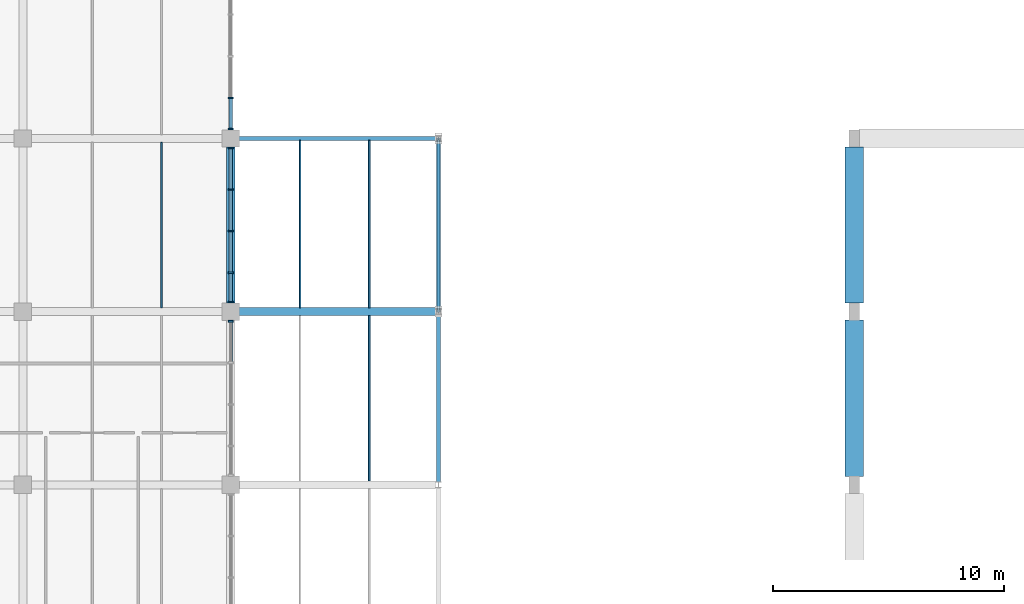
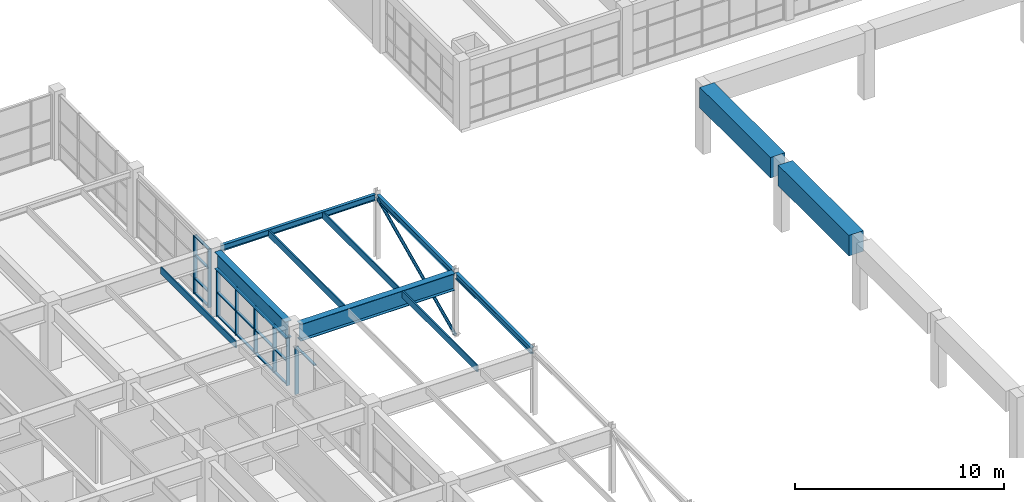
# One storey, part 14 of 76: 26 members, 11 beams, 3 elements without a shape of their own.
"""IFC4 building model written with IfcOpenShell, lengths in metres."""

from ifc_helpers import new_model, si_unit, direction, frame, origin, origin_2d, place, context, subcontext, project, spatial, rectangle, hollow_circle, i_section, extrude, material, layer, layer_set, material_profile, profile_set, type_object, element, aggregate, save


model = new_model("IFC4")

# Units and contexts
model_context = context("Model", 3, precision=1e-05, world=origin(), true_north=direction((0.0, 1.0)))
body_context = subcontext(model_context, "Body", "Model", "MODEL_VIEW")
ifc_project = project(units=[si_unit("LENGTHUNIT", "METRE"), si_unit("AREAUNIT", "SQUARE_METRE"), si_unit("VOLUMEUNIT", "CUBIC_METRE"), si_unit("PLANEANGLEUNIT", "RADIAN"), si_unit("MASSUNIT", "GRAM", prefix="KILO")], contexts=[model_context])

# Site, building, storey
site_placement = place(None, origin())
site = spatial("IfcSite", under=ifc_project, at=site_placement, CompositionType="ELEMENT")
building_placement = place(site_placement, origin())
building = spatial("IfcBuilding", under=site, at=building_placement, Name="Marnridge Secondary College", CompositionType="ELEMENT")
storey_placement = place(building_placement, frame((0.0, 0.0, 4.5)))
storey = spatial("IfcBuildingStorey", under=building, at=storey_placement, Name="L01", CompositionType="ELEMENT", Elevation=4.5)

# Beams
ifc_material_1 = material(Name="Engineered timber LVL E13.2", Category="wood")
ifc_material_profile_1 = material_profile(ifc_material_1, rectangle(XDim=0.074951171875, YDim=0.39990234375, at=origin_2d()), Name="LVL 75x400")
ifc_profile_set_1 = profile_set([ifc_material_profile_1], Name="Engineered timber LVL E13.2")
beam_type_1 = type_object("IfcBeamType", Name="BM-LVL400-INT", PredefinedType="JOIST", material=ifc_profile_set_1)
for number, where, z_axis, x_axis, name in (
    (1, (33.0, 22.6689453125, 3.570068359375), (0.0, 1.0, 0.0), (-1.0, 0.0, 0.0), "Beam BJ-L01-0739"),
    (2, (42.0, 15.1689453125, 3.570068359375), (0.0, 1.0, 0.0), (-1.0, 0.0, 0.0), "Beam BJ-L01-0745"),
):
    element("IfcBeam", number, at=place(storey_placement, frame(where, z_axis=z_axis, x_axis=x_axis)), inside=storey, type_object=beam_type_1, Name=name, PredefinedType="JOIST", context=body_context, shape_type="SweptSolid", body=[
        extrude(rectangle(XDim=0.074951171875, YDim=0.39990234375, at=origin_2d()), origin(), (0.0, 0.0, 1.0), 7.162109375),
    ])
for number, where, z_axis, x_axis, name in (
    (3, (39.0, 22.6689453125, 3.570068359375), (0.0, 1.0, 0.0), (-1.0, 0.0, 0.0), "Beam BJ-L01-0746"),
    (4, (42.0, 22.6689453125, 3.570068359375), (0.0, 1.0, 0.0), (-1.0, 0.0, 0.0), "Beam BJ-L01-0747"),
):
    element("IfcBeam", number, at=place(storey_placement, frame(where, z_axis=z_axis, x_axis=x_axis)), inside=storey, type_object=beam_type_1, Name=name, PredefinedType="JOIST", context=body_context, shape_type="SweptSolid", body=[
        extrude(rectangle(XDim=0.074951171875, YDim=0.39990234375, at=origin_2d()), origin(), (0.0, 0.0, 1.0), 7.25146484375),
    ])
ifc_material_2 = material(Name="Concrete C50/60 (AS 3600 N50, 50 MPa)", Category="concrete")
ifc_material_profile_2 = material_profile(ifc_material_2, rectangle(XDim=0.800048828125, YDim=1.199951171875, at=origin_2d()), Name="RC 800x1200")
ifc_profile_set_2 = profile_set([ifc_material_profile_2], Name="Concrete C50/60 (AS 3600 N50, 50 MPa)")
beam_type_2 = type_object("IfcBeamType", Name="BM-RING-8012", PredefinedType="USERDEFINED", material=ifc_profile_set_2)
for number, where, z_axis, x_axis, name in (
    (5, (63.0, 15.368896484375, 3.39990234375), (0.0, 1.0, 0.0), (-1.0, 0.0, 0.0), "Beam BRG-L01-0031"),
    (6, (63.0, 22.868896484375, 3.39990234375), (0.0, 1.0, 0.0), (-1.0, 0.0, 0.0), "Beam BRG-L01-0033"),
):
    element("IfcBeam", number, at=place(storey_placement, frame(where, z_axis=z_axis, x_axis=x_axis)), inside=storey, type_object=beam_type_2, Name=name, ObjectType="RING BEAM", PredefinedType="USERDEFINED", context=body_context, shape_type="SweptSolid", body=[
        extrude(rectangle(XDim=0.800048828125, YDim=1.199951171875, at=origin_2d()), origin(), (0.0, 0.0, 1.0), 6.76220703125),
    ])
ifc_material_3 = material(Name="Structural steel Grade 350 (AS/NZS 3679.1/.2, fy = 340-360 MPa)", Category="steel")
ifc_material_profile_3 = material_profile(ifc_material_3, i_section(OverallWidth=0.1708984375, OverallDepth=0.35205078125, WebThickness=0.0068359375, FlangeThickness=0.009765625, FilletRadius=0.011474609375, at=origin_2d()), Name="360UB44.7")
ifc_profile_set_3 = profile_set([ifc_material_profile_3], Name="Structural steel Grade 350 (AS/NZS 3679.1/.2, fy = 340-360 MPa)")
beam_type_3 = type_object("IfcBeamType", Name="BM-UB360-EXT", PredefinedType="SPANDREL", material=ifc_profile_set_3)
beam_1_placement = place(storey_placement, frame((45.0, 15.120849609375, 3.593994140625), z_axis=(0.0, 1.0, 0.0), x_axis=(-1.0, 0.0, 0.0)))
element("IfcBeam", 7, at=beam_1_placement, inside=storey, type_object=beam_type_3, Name="Beam BS-L01-0701", PredefinedType="SPANDREL", context=body_context, shape_type="SweptSolid", body=[
    extrude(i_section(OverallWidth=0.1708984375, OverallDepth=0.35205078125, WebThickness=0.0068359375, FlangeThickness=0.009765625, FilletRadius=0.011474609375, at=origin_2d()), origin(), (0.0, 0.0, 1.0), 7.25830078125),
])
beam_2_placement = place(storey_placement, frame((36.368896484375, 30.0, 3.593994140625), z_axis=(1.0, 0.0, 0.0), x_axis=(0.0, 1.0, 0.0)))
element("IfcBeam", 8, at=beam_2_placement, inside=storey, type_object=beam_type_3, Name="Beam BS-L01-0702", PredefinedType="SPANDREL", context=body_context, shape_type="SweptSolid", body=[
    extrude(i_section(OverallWidth=0.1708984375, OverallDepth=0.35205078125, WebThickness=0.0068359375, FlangeThickness=0.009765625, FilletRadius=0.011474609375, at=origin_2d()), origin(), (0.0, 0.0, 1.0), 8.510009765625),
])
beam_3_placement = place(storey_placement, frame((45.0, 22.620849609375, 3.593994140625), z_axis=(0.0, 1.0, 0.0), x_axis=(-1.0, 0.0, 0.0)))
element("IfcBeam", 9, at=beam_3_placement, inside=storey, type_object=beam_type_3, Name="Beam BS-L01-0703", PredefinedType="SPANDREL", context=body_context, shape_type="SweptSolid", body=[
    extrude(i_section(OverallWidth=0.1708984375, OverallDepth=0.35205078125, WebThickness=0.0068359375, FlangeThickness=0.009765625, FilletRadius=0.011474609375, at=origin_2d()), origin(), (0.0, 0.0, 1.0), 7.25830078125),
])
ifc_material_4 = material(Name="Structural steel Grade 350 (AS/NZS 3679.1/.2, fy = 340-360 MPa)", Category="steel")
ifc_material_profile_4 = material_profile(ifc_material_4, i_section(OverallWidth=0.35009765625, OverallDepth=0.989990234375, WebThickness=0.01611328125, FlangeThickness=0.02490234375, at=origin_2d()), Name="1000WB258")
ifc_profile_set_4 = profile_set([ifc_material_profile_4], Name="Structural steel Grade 350 (AS/NZS 3679.1/.2, fy = 340-360 MPa)")
beam_type_4 = type_object("IfcBeamType", Name="BM-WB1000-INT", PredefinedType="BEAM", material=ifc_profile_set_4)
beam_4_placement = place(storey_placement, frame((36.0, 22.868896484375, 3.27490234375), z_axis=(0.0, 1.0, 0.0), x_axis=(-1.0, 0.0, 0.0)))
element("IfcBeam", 10, at=beam_4_placement, inside=storey, type_object=beam_type_4, Name="Beam B-L01-0694", PredefinedType="BEAM", context=body_context, shape_type="SweptSolid", body=[
    extrude(i_section(OverallWidth=0.35009765625, OverallDepth=0.989990234375, WebThickness=0.01611328125, FlangeThickness=0.02490234375, at=origin_2d()), origin(), (0.0, 0.0, 1.0), 6.76220703125),
])
beam_5_placement = place(storey_placement, frame((36.368896484375, 22.5, 3.27490234375), z_axis=(1.0, 0.0, 0.0), x_axis=(0.0, 1.0, 0.0)))
element("IfcBeam", 11, at=beam_5_placement, inside=storey, type_object=beam_type_4, Name="Beam B-L01-0700", PredefinedType="BEAM", context=body_context, shape_type="SweptSolid", body=[
    extrude(i_section(OverallWidth=0.35009765625, OverallDepth=0.989990234375, WebThickness=0.01611328125, FlangeThickness=0.02490234375, at=origin_2d()), origin(), (0.0, 0.0, 1.0), 8.510009765625),
])

# Curtain wall, members
ifc_material_5 = material(Name="Bronze-anodised aluminium and solar-control glazing", Category="aluminium")
ifc_layer = layer(ifc_material_5, 0.199951171875)
ifc_layer_set = layer_set([ifc_layer], Name="CW-MOD-1800")
curtain_wall_type = type_object("IfcCurtainWallType", Name="CW-MOD-1800", PredefinedType="NOTDEFINED", material=ifc_layer_set)
curtain_wall_1_placement = place(storey_placement, origin())
curtain_wall_1 = element("IfcCurtainWall", 12, at=curtain_wall_1_placement, inside=storey, type_object=curtain_wall_type, Name="Unitised curtain wall CW-L01-064", PredefinedType="NOTDEFINED")
ifc_material_6 = material(Name="Bronze-anodised aluminium 6063-T6", Category="aluminium")
ifc_material_profile_5 = material_profile(ifc_material_6, rectangle(XDim=0.070068359375, YDim=0.199951171875, at=origin_2d()), Name="ALU 70x200")
ifc_profile_set_5 = profile_set([ifc_material_profile_5], Name="Bronze-anodised aluminium 6063-T6")
member_type_1 = type_object("IfcMemberType", Name="CWM-ALU200", PredefinedType="MULLION", material=ifc_profile_set_5)
member_1_placement = place(storey_placement, frame((36.0, 31.760986328125, 0.0), z_axis=(0.0, 0.0, 1.0), x_axis=(0.0, -1.0, 0.0)))
member_1 = element("IfcMember", 13, at=member_1_placement, type_object=member_type_1, Name="CW-L01-064 mullion 4", PredefinedType="MULLION", context=body_context, shape_type="SweptSolid", body=[
    extrude(rectangle(XDim=0.070068359375, YDim=0.199951171875, at=origin_2d()), origin(), (0.0, 0.0, 1.0), 3.409912109375),
])
member_2_placement = place(storey_placement, frame((36.0, 30.4140625, 0.0), z_axis=(0.0, 0.0, 1.0), x_axis=(0.0, -1.0, 0.0)))
member_2 = element("IfcMember", 14, at=member_2_placement, type_object=member_type_1, Name="CW-L01-064 mullion 5", PredefinedType="MULLION", context=body_context, shape_type="SweptSolid", body=[
    extrude(rectangle(XDim=0.070068359375, YDim=0.199951171875, at=origin_2d()), origin(), (0.0, 0.0, 1.0), 3.409912109375),
])

curtain_wall_2_placement = place(storey_placement, origin())
curtain_wall_2 = element("IfcCurtainWall", 15, at=curtain_wall_2_placement, inside=storey, type_object=curtain_wall_type, Name="Unitised curtain wall CW-L01-065", PredefinedType="NOTDEFINED")
member_3_placement = place(storey_placement, frame((36.0, 29.5859375, 0.0), z_axis=(0.0, 0.0, 1.0), x_axis=(0.0, -1.0, 0.0)))
member_3 = element("IfcMember", 16, at=member_3_placement, type_object=member_type_1, Name="CW-L01-065 mullion 1", PredefinedType="MULLION", context=body_context, shape_type="SweptSolid", body=[
    extrude(rectangle(XDim=0.070068359375, YDim=0.199951171875, at=origin_2d()), origin(), (0.0, 0.0, 1.0), 2.77197265625),
])
member_4_placement = place(storey_placement, frame((36.0, 27.785888671875, 0.0), z_axis=(0.0, 0.0, 1.0), x_axis=(0.0, -1.0, 0.0)))
member_4 = element("IfcMember", 17, at=member_4_placement, type_object=member_type_1, Name="CW-L01-065 mullion 2", PredefinedType="MULLION", context=body_context, shape_type="SweptSolid", body=[
    extrude(rectangle(XDim=0.070068359375, YDim=0.199951171875, at=origin_2d()), origin(), (0.0, 0.0, 1.0), 2.77197265625),
])
member_5_placement = place(storey_placement, frame((36.0, 25.986083984375, 0.0), z_axis=(0.0, 0.0, 1.0), x_axis=(0.0, -1.0, 0.0)))
member_5 = element("IfcMember", 18, at=member_5_placement, type_object=member_type_1, Name="CW-L01-065 mullion 3", PredefinedType="MULLION", context=body_context, shape_type="SweptSolid", body=[
    extrude(rectangle(XDim=0.070068359375, YDim=0.199951171875, at=origin_2d()), origin(), (0.0, 0.0, 1.0), 2.77197265625),
])
member_6_placement = place(storey_placement, frame((36.0, 24.18603515625, 0.0), z_axis=(0.0, 0.0, 1.0), x_axis=(0.0, -1.0, 0.0)))
member_6 = element("IfcMember", 19, at=member_6_placement, type_object=member_type_1, Name="CW-L01-065 mullion 4", PredefinedType="MULLION", context=body_context, shape_type="SweptSolid", body=[
    extrude(rectangle(XDim=0.070068359375, YDim=0.199951171875, at=origin_2d()), origin(), (0.0, 0.0, 1.0), 2.77197265625),
])
member_7_placement = place(storey_placement, frame((36.0, 22.9140625, 0.0), z_axis=(0.0, 0.0, 1.0), x_axis=(0.0, -1.0, 0.0)))
member_7 = element("IfcMember", 20, at=member_7_placement, type_object=member_type_1, Name="CW-L01-065 mullion 5", PredefinedType="MULLION", context=body_context, shape_type="SweptSolid", body=[
    extrude(rectangle(XDim=0.070068359375, YDim=0.199951171875, at=origin_2d()), origin(), (0.0, 0.0, 1.0), 2.77197265625),
])

# Curtain wall, member
curtain_wall_3_placement = place(storey_placement, origin())
curtain_wall_3 = element("IfcCurtainWall", 21, at=curtain_wall_3_placement, inside=storey, type_object=curtain_wall_type, Name="Unitised curtain wall CW-L01-066", PredefinedType="NOTDEFINED")
member_8_placement = place(storey_placement, frame((36.0, 22.0859375, 0.0), z_axis=(0.0, 0.0, 1.0), x_axis=(0.0, -1.0, 0.0)))
member_8 = element("IfcMember", 22, at=member_8_placement, type_object=member_type_1, Name="CW-L01-066 mullion 1", PredefinedType="MULLION", context=body_context, shape_type="SweptSolid", body=[
    extrude(rectangle(XDim=0.070068359375, YDim=0.199951171875, at=origin_2d()), origin(), (0.0, 0.0, 1.0), 2.77197265625),
])

# Member
ifc_material_7 = material(Name="Anodised aluminium 6063-T6", Category="aluminium")
ifc_material_profile_6 = material_profile(ifc_material_7, rectangle(XDim=0.06494140625, YDim=0.139892578125, at=origin_2d()), Name="ALU 65x140")
ifc_profile_set_6 = profile_set([ifc_material_profile_6], Name="Anodised aluminium 6063-T6")
member_type_2 = type_object("IfcMemberType", Name="CWT-ALU140", PredefinedType="USERDEFINED", material=ifc_profile_set_6)
member_9_placement = place(storey_placement, frame((36.0, 31.72607421875, 0.032470703125), z_axis=(0.0, -1.0, 0.0), x_axis=(0.0, 0.0, 1.0)))
member_9 = element("IfcMember", 23, at=member_9_placement, type_object=member_type_2, Name="CW-L01-064 transom 4.1", ObjectType="TRANSOM", PredefinedType="USERDEFINED", context=body_context, shape_type="SweptSolid", body=[
    extrude(rectangle(XDim=0.06494140625, YDim=0.139892578125, at=origin_2d()), origin(), (0.0, 0.0, 1.0), 1.277099609375),
])

member_10_placement = place(storey_placement, frame((36.0, 31.72607421875, 0.89990234375), z_axis=(0.0, -1.0, 0.0), x_axis=(0.0, 0.0, 1.0)))
member_10 = element("IfcMember", 24, at=member_10_placement, type_object=member_type_2, Name="CW-L01-064 transom 4.2", ObjectType="TRANSOM", PredefinedType="USERDEFINED", context=body_context, shape_type="SweptSolid", body=[
    extrude(rectangle(XDim=0.06494140625, YDim=0.139892578125, at=origin_2d()), origin(), (0.0, 0.0, 1.0), 1.277099609375),
])

member_11_placement = place(storey_placement, frame((36.0, 31.72607421875, 2.25), z_axis=(0.0, -1.0, 0.0), x_axis=(0.0, 0.0, 1.0)))
member_11 = element("IfcMember", 25, at=member_11_placement, type_object=member_type_2, Name="CW-L01-064 transom 4.3", ObjectType="TRANSOM", PredefinedType="USERDEFINED", context=body_context, shape_type="SweptSolid", body=[
    extrude(rectangle(XDim=0.06494140625, YDim=0.139892578125, at=origin_2d()), origin(), (0.0, 0.0, 1.0), 1.277099609375),
])

member_12_placement = place(storey_placement, frame((36.0, 31.72607421875, 3.37744140625), z_axis=(0.0, -1.0, 0.0), x_axis=(0.0, 0.0, 1.0)))
member_12 = element("IfcMember", 26, at=member_12_placement, type_object=member_type_2, Name="CW-L01-064 transom 4.4", ObjectType="TRANSOM", PredefinedType="USERDEFINED", context=body_context, shape_type="SweptSolid", body=[
    extrude(rectangle(XDim=0.06494140625, YDim=0.139892578125, at=origin_2d()), origin(), (0.0, 0.0, 1.0), 1.277099609375),
])

aggregate(curtain_wall_1, [member_1, member_2, member_9, member_10, member_11, member_12])

member_13_placement = place(storey_placement, frame((36.0, 29.551025390625, 0.032470703125), z_axis=(0.0, -1.0, 0.0), x_axis=(0.0, 0.0, 1.0)))
member_13 = element("IfcMember", 27, at=member_13_placement, type_object=member_type_2, Name="CW-L01-065 transom 1.1", ObjectType="TRANSOM", PredefinedType="USERDEFINED", context=body_context, shape_type="SweptSolid", body=[
    extrude(rectangle(XDim=0.06494140625, YDim=0.139892578125, at=origin_2d()), origin(), (0.0, 0.0, 1.0), 1.72998046875),
])

member_14_placement = place(storey_placement, frame((36.0, 29.551025390625, 1.385986328125), z_axis=(0.0, -1.0, 0.0), x_axis=(0.0, 0.0, 1.0)))
member_14 = element("IfcMember", 28, at=member_14_placement, type_object=member_type_2, Name="CW-L01-065 transom 1.2", ObjectType="TRANSOM", PredefinedType="USERDEFINED", context=body_context, shape_type="SweptSolid", body=[
    extrude(rectangle(XDim=0.06494140625, YDim=0.139892578125, at=origin_2d()), origin(), (0.0, 0.0, 1.0), 1.72998046875),
])

member_15_placement = place(storey_placement, frame((36.0, 29.551025390625, 2.739501953125), z_axis=(0.0, -1.0, 0.0), x_axis=(0.0, 0.0, 1.0)))
member_15 = element("IfcMember", 29, at=member_15_placement, type_object=member_type_2, Name="CW-L01-065 transom 1.3", ObjectType="TRANSOM", PredefinedType="USERDEFINED", context=body_context, shape_type="SweptSolid", body=[
    extrude(rectangle(XDim=0.06494140625, YDim=0.139892578125, at=origin_2d()), origin(), (0.0, 0.0, 1.0), 1.72998046875),
])

member_16_placement = place(storey_placement, frame((36.0, 27.7509765625, 0.032470703125), z_axis=(0.0, -1.0, 0.0), x_axis=(0.0, 0.0, 1.0)))
member_16 = element("IfcMember", 30, at=member_16_placement, type_object=member_type_2, Name="CW-L01-065 transom 2.1", ObjectType="TRANSOM", PredefinedType="USERDEFINED", context=body_context, shape_type="SweptSolid", body=[
    extrude(rectangle(XDim=0.06494140625, YDim=0.139892578125, at=origin_2d()), origin(), (0.0, 0.0, 1.0), 1.72998046875),
])

member_17_placement = place(storey_placement, frame((36.0, 27.7509765625, 1.385986328125), z_axis=(0.0, -1.0, 0.0), x_axis=(0.0, 0.0, 1.0)))
member_17 = element("IfcMember", 31, at=member_17_placement, type_object=member_type_2, Name="CW-L01-065 transom 2.2", ObjectType="TRANSOM", PredefinedType="USERDEFINED", context=body_context, shape_type="SweptSolid", body=[
    extrude(rectangle(XDim=0.06494140625, YDim=0.139892578125, at=origin_2d()), origin(), (0.0, 0.0, 1.0), 1.72998046875),
])

member_18_placement = place(storey_placement, frame((36.0, 27.7509765625, 2.739501953125), z_axis=(0.0, -1.0, 0.0), x_axis=(0.0, 0.0, 1.0)))
member_18 = element("IfcMember", 32, at=member_18_placement, type_object=member_type_2, Name="CW-L01-065 transom 2.3", ObjectType="TRANSOM", PredefinedType="USERDEFINED", context=body_context, shape_type="SweptSolid", body=[
    extrude(rectangle(XDim=0.06494140625, YDim=0.139892578125, at=origin_2d()), origin(), (0.0, 0.0, 1.0), 1.72998046875),
])

member_19_placement = place(storey_placement, frame((36.0, 25.950927734375, 0.032470703125), z_axis=(0.0, -1.0, 0.0), x_axis=(0.0, 0.0, 1.0)))
member_19 = element("IfcMember", 33, at=member_19_placement, type_object=member_type_2, Name="CW-L01-065 transom 3.1", ObjectType="TRANSOM", PredefinedType="USERDEFINED", context=body_context, shape_type="SweptSolid", body=[
    extrude(rectangle(XDim=0.06494140625, YDim=0.139892578125, at=origin_2d()), origin(), (0.0, 0.0, 1.0), 1.72998046875),
])

member_20_placement = place(storey_placement, frame((36.0, 25.950927734375, 1.385986328125), z_axis=(0.0, -1.0, 0.0), x_axis=(0.0, 0.0, 1.0)))
member_20 = element("IfcMember", 34, at=member_20_placement, type_object=member_type_2, Name="CW-L01-065 transom 3.2", ObjectType="TRANSOM", PredefinedType="USERDEFINED", context=body_context, shape_type="SweptSolid", body=[
    extrude(rectangle(XDim=0.06494140625, YDim=0.139892578125, at=origin_2d()), origin(), (0.0, 0.0, 1.0), 1.72998046875),
])

member_21_placement = place(storey_placement, frame((36.0, 25.950927734375, 2.739501953125), z_axis=(0.0, -1.0, 0.0), x_axis=(0.0, 0.0, 1.0)))
member_21 = element("IfcMember", 35, at=member_21_placement, type_object=member_type_2, Name="CW-L01-065 transom 3.3", ObjectType="TRANSOM", PredefinedType="USERDEFINED", context=body_context, shape_type="SweptSolid", body=[
    extrude(rectangle(XDim=0.06494140625, YDim=0.139892578125, at=origin_2d()), origin(), (0.0, 0.0, 1.0), 1.72998046875),
])

member_22_placement = place(storey_placement, frame((36.0, 24.15087890625, 0.032470703125), z_axis=(0.0, -1.0, 0.0), x_axis=(0.0, 0.0, 1.0)))
member_22 = element("IfcMember", 36, at=member_22_placement, type_object=member_type_2, Name="CW-L01-065 transom 4.1", ObjectType="TRANSOM", PredefinedType="USERDEFINED", context=body_context, shape_type="SweptSolid", body=[
    extrude(rectangle(XDim=0.06494140625, YDim=0.139892578125, at=origin_2d()), origin(), (0.0, 0.0, 1.0), 1.201904296875),
])

member_23_placement = place(storey_placement, frame((36.0, 24.15087890625, 1.385986328125), z_axis=(0.0, -1.0, 0.0), x_axis=(0.0, 0.0, 1.0)))
member_23 = element("IfcMember", 37, at=member_23_placement, type_object=member_type_2, Name="CW-L01-065 transom 4.2", ObjectType="TRANSOM", PredefinedType="USERDEFINED", context=body_context, shape_type="SweptSolid", body=[
    extrude(rectangle(XDim=0.06494140625, YDim=0.139892578125, at=origin_2d()), origin(), (0.0, 0.0, 1.0), 1.201904296875),
])

member_24_placement = place(storey_placement, frame((36.0, 24.15087890625, 2.739501953125), z_axis=(0.0, -1.0, 0.0), x_axis=(0.0, 0.0, 1.0)))
member_24 = element("IfcMember", 38, at=member_24_placement, type_object=member_type_2, Name="CW-L01-065 transom 4.3", ObjectType="TRANSOM", PredefinedType="USERDEFINED", context=body_context, shape_type="SweptSolid", body=[
    extrude(rectangle(XDim=0.06494140625, YDim=0.139892578125, at=origin_2d()), origin(), (0.0, 0.0, 1.0), 1.201904296875),
])

aggregate(curtain_wall_2, [member_3, member_4, member_5, member_6, member_7, member_13, member_14, member_15, member_16, member_17, member_18, member_19, member_20, member_21, member_22, member_23, member_24])

member_25_placement = place(storey_placement, frame((36.0, 22.051025390625, 2.739501953125), z_axis=(0.0, -1.0, 0.0), x_axis=(0.0, 0.0, 1.0)))
member_25 = element("IfcMember", 39, at=member_25_placement, type_object=member_type_2, Name="CW-L01-066 transom 1.3", ObjectType="TRANSOM", PredefinedType="USERDEFINED", context=body_context, shape_type="SweptSolid", body=[
    extrude(rectangle(XDim=0.06494140625, YDim=0.139892578125, at=origin_2d()), origin(), (0.0, 0.0, 1.0), 1.72998046875),
])

aggregate(curtain_wall_3, [member_8, member_25])

ifc_material_8 = material(Name="Cold-formed steel Grade C350L0 (AS/NZS 1163, fy = 350 MPa)", Category="steel")
ifc_material_profile_7 = material_profile(ifc_material_8, hollow_circle(Radius=0.084228515625, WallThickness=0.00634765625, at=origin_2d()), Name="168.3x6.4CHS")
ifc_profile_set_7 = profile_set([ifc_material_profile_7], Name="Cold-formed steel Grade C350L0 (AS/NZS 1163, fy = 350 MPa)")
member_type_3 = type_object("IfcMemberType", Name="MB-BR-CHS168", PredefinedType="BRACE", material=ifc_profile_set_7)
member_26_placement = place(storey_placement, frame((45.0, 22.5, 0.050048828125), z_axis=(0.0, 0.906183139995, 0.422885465331), x_axis=(-1.0, 0.0, 0.0)))
element("IfcMember", 40, at=member_26_placement, inside=storey, type_object=member_type_3, Name="Lateral brace BR-004", PredefinedType="BRACE", context=body_context, shape_type="SweptSolid", body=[
    extrude(hollow_circle(Radius=0.084228515625, WallThickness=0.00634765625, at=origin_2d()), origin(), (0.0, 0.0, 1.0), 8.2763671875),
])

save(model, "model.ifc")
